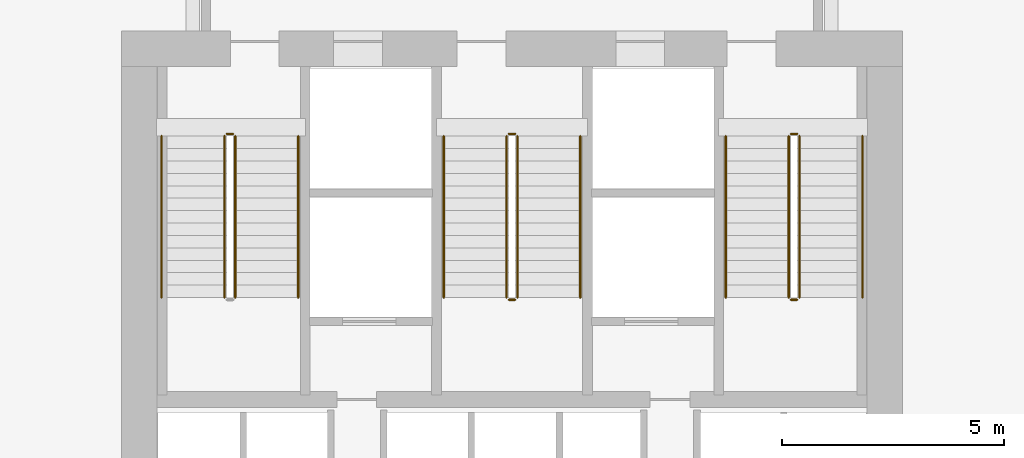
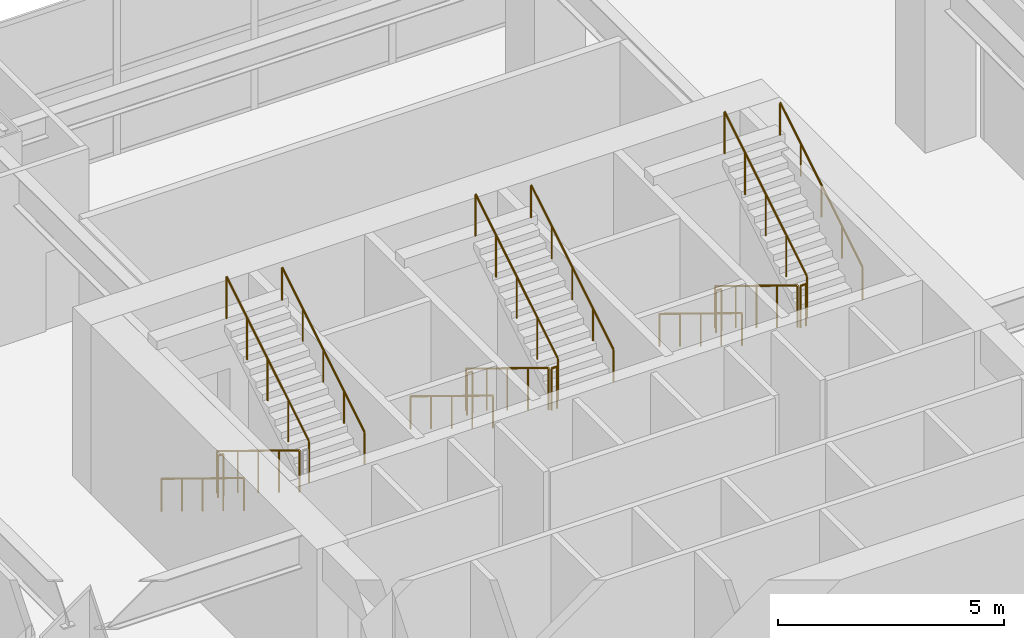
# One storey, part 30 of 31: 17 railings.
"""IFC4 building model written with IfcOpenShell, lengths in metres."""

from ifc_helpers import new_model, si_unit, direction, frame, origin, origin_2d, place, context, subcontext, project, spatial, circle, extrude, material, type_object, element, save


model = new_model("IFC4")

# Units and contexts
model_context = context("Model", 3, precision=1e-05, world=origin(), true_north=direction((0.0, 1.0)))
body_context = subcontext(model_context, "Body", "Model", "MODEL_VIEW")
ifc_project = project(units=[si_unit("LENGTHUNIT", "METRE"), si_unit("AREAUNIT", "SQUARE_METRE"), si_unit("VOLUMEUNIT", "CUBIC_METRE"), si_unit("PLANEANGLEUNIT", "RADIAN"), si_unit("MASSUNIT", "GRAM", prefix="KILO")], contexts=[model_context])

# Site, building, storey
site_placement = place(None, origin())
site = spatial("IfcSite", under=ifc_project, at=site_placement, CompositionType="ELEMENT")
building_placement = place(site_placement, origin())
building = spatial("IfcBuilding", under=site, at=building_placement, Name="Haolan Belvedere Tower", CompositionType="ELEMENT")
storey_placement = place(building_placement, frame((0.0, 0.0, 5.39990234375)))
storey = spatial("IfcBuildingStorey", under=building, at=storey_placement, Name="L01", CompositionType="ELEMENT", Elevation=5.39990234375)

# Railings
ifc_material = material(Name="Brushed stainless steel 304", Category="steel")
railing_type_1 = type_object("IfcRailingType", Name="RL-STAIR-GRD-1150", PredefinedType="GUARDRAIL", material=ifc_material)
railing_1_placement = place(storey_placement, frame((31.919921875, 41.22998046875, 0.171630859375)))
element("IfcRailing", 1, at=railing_1_placement, inside=storey, type_object=railing_type_1, Name="L01 ST1 stair guard 1", PredefinedType="GUARDRAIL", context=body_context, shape_type="SweptSolid", body=[
    extrude(circle(Radius=0.02392578125, at=origin_2d()), frame((0.0, 0.0, 1.1259765625), z_axis=(0.0, -0.852850264322, 0.5221555579), x_axis=(1.0, 0.0, 0.0)), (0.0, 0.0, 1.0), 4.267822265625),
    extrude(circle(Radius=0.02099609375, at=origin_2d()), origin(), (0.0, 0.0, 1.0), 1.101806640625),
    extrude(circle(Radius=0.02099609375, at=origin_2d()), frame((0.0, -0.909912109375, 0.55712890625)), (0.0, 0.0, 1.0), 1.101806640625),
    extrude(circle(Radius=0.02099609375, at=origin_2d()), frame((0.0, -1.81982421875, 1.1142578125)), (0.0, 0.0, 1.0), 1.101806640625),
    extrude(circle(Radius=0.02099609375, at=origin_2d()), frame((0.0, -2.72998046875, 1.67138671875)), (0.0, 0.0, 1.0), 1.101806640625),
    extrude(circle(Radius=0.02099609375, at=origin_2d()), frame((0.0, -3.639892578125, 2.228515625)), (0.0, 0.0, 1.0), 1.101806640625),
])
railing_2_placement = place(storey_placement, frame((32.159912109375, 37.590087890625, 2.571533203125)))
element("IfcRailing", 2, at=railing_2_placement, inside=storey, type_object=railing_type_1, Name="L01 ST1 stair guard 3", PredefinedType="GUARDRAIL", context=body_context, shape_type="SweptSolid", body=[
    extrude(circle(Radius=0.02392578125, at=origin_2d()), frame((0.0, 0.0, 1.1259765625), z_axis=(0.0, 0.852850264322, 0.5221555579), x_axis=(-1.0, 0.0, 0.0)), (0.0, 0.0, 1.0), 4.267822265625),
    extrude(circle(Radius=0.02099609375, at=origin_2d()), origin(), (0.0, 0.0, 1.0), 1.101806640625),
    extrude(circle(Radius=0.02099609375, at=origin_2d()), frame((0.0, 0.909912109375, 0.55712890625)), (0.0, 0.0, 1.0), 1.101806640625),
    extrude(circle(Radius=0.02099609375, at=origin_2d()), frame((0.0, 1.81982421875, 1.1142578125)), (0.0, 0.0, 1.0), 1.101806640625),
    extrude(circle(Radius=0.02099609375, at=origin_2d()), frame((0.0, 2.72998046875, 1.67138671875)), (0.0, 0.0, 1.0), 1.101806640625),
    extrude(circle(Radius=0.02099609375, at=origin_2d()), frame((0.0, 3.639892578125, 2.228515625)), (0.0, 0.0, 1.0), 1.101806640625),
])
railing_3_placement = place(storey_placement, frame((31.969970703125, 41.280029296875, 0.0)))
element("IfcRailing", 3, at=railing_3_placement, inside=storey, type_object=railing_type_1, Name="L01 ST1 stair guard 4", PredefinedType="GUARDRAIL", context=body_context, shape_type="SweptSolid", body=[
    extrude(circle(Radius=0.02392578125, at=origin_2d()), frame((0.0, 0.0, 1.1259765625), z_axis=(1.0, 0.0, 0.0), x_axis=(0.0, 1.0, 0.0)), (0.0, 0.0, 1.0), 0.14013671875),
    extrude(circle(Radius=0.02099609375, at=origin_2d()), origin(), (0.0, 0.0, 1.0), 1.101806640625),
    extrude(circle(Radius=0.02099609375, at=origin_2d()), frame((0.14013671875, 0.0, 0.0)), (0.0, 0.0, 1.0), 1.101806640625),
])
railing_4_placement = place(storey_placement, frame((38.280029296875, 41.22998046875, 0.171630859375)))
element("IfcRailing", 4, at=railing_4_placement, inside=storey, type_object=railing_type_1, Name="L01 ST3 stair guard 1", PredefinedType="GUARDRAIL", context=body_context, shape_type="SweptSolid", body=[
    extrude(circle(Radius=0.02392578125, at=origin_2d()), frame((0.0, 0.0, 1.1259765625), z_axis=(0.0, -0.852850264322, 0.5221555579), x_axis=(1.0, 0.0, 0.0)), (0.0, 0.0, 1.0), 4.267822265625),
    extrude(circle(Radius=0.02099609375, at=origin_2d()), origin(), (0.0, 0.0, 1.0), 1.101806640625),
    extrude(circle(Radius=0.02099609375, at=origin_2d()), frame((0.0, -0.909912109375, 0.55712890625)), (0.0, 0.0, 1.0), 1.101806640625),
    extrude(circle(Radius=0.02099609375, at=origin_2d()), frame((0.0, -1.81982421875, 1.1142578125)), (0.0, 0.0, 1.0), 1.101806640625),
    extrude(circle(Radius=0.02099609375, at=origin_2d()), frame((0.0, -2.72998046875, 1.67138671875)), (0.0, 0.0, 1.0), 1.101806640625),
    extrude(circle(Radius=0.02099609375, at=origin_2d()), frame((0.0, -3.639892578125, 2.228515625)), (0.0, 0.0, 1.0), 1.101806640625),
])
railing_5_placement = place(storey_placement, frame((38.330078125, 37.5400390625, 2.400146484375)))
element("IfcRailing", 5, at=railing_5_placement, inside=storey, type_object=railing_type_1, Name="L01 ST3 stair guard 2", PredefinedType="GUARDRAIL", context=body_context, shape_type="SweptSolid", body=[
    extrude(circle(Radius=0.02392578125, at=origin_2d()), frame((0.0, 0.0, 1.1259765625), z_axis=(1.0, 0.0, 0.0), x_axis=(0.0, 1.0, 0.0)), (0.0, 0.0, 1.0), 0.139892578125),
    extrude(circle(Radius=0.02099609375, at=origin_2d()), origin(), (0.0, 0.0, 1.0), 1.101806640625),
    extrude(circle(Radius=0.02099609375, at=origin_2d()), frame((0.139892578125, 0.0, 0.0)), (0.0, 0.0, 1.0), 1.101806640625),
])
railing_6_placement = place(storey_placement, frame((38.52001953125, 37.590087890625, 2.571533203125)))
element("IfcRailing", 6, at=railing_6_placement, inside=storey, type_object=railing_type_1, Name="L01 ST3 stair guard 3", PredefinedType="GUARDRAIL", context=body_context, shape_type="SweptSolid", body=[
    extrude(circle(Radius=0.02392578125, at=origin_2d()), frame((0.0, 0.0, 1.1259765625), z_axis=(0.0, 0.852850264322, 0.5221555579), x_axis=(-1.0, 0.0, 0.0)), (0.0, 0.0, 1.0), 4.267822265625),
    extrude(circle(Radius=0.02099609375, at=origin_2d()), origin(), (0.0, 0.0, 1.0), 1.101806640625),
    extrude(circle(Radius=0.02099609375, at=origin_2d()), frame((0.0, 0.909912109375, 0.55712890625)), (0.0, 0.0, 1.0), 1.101806640625),
    extrude(circle(Radius=0.02099609375, at=origin_2d()), frame((0.0, 1.81982421875, 1.1142578125)), (0.0, 0.0, 1.0), 1.101806640625),
    extrude(circle(Radius=0.02099609375, at=origin_2d()), frame((0.0, 2.72998046875, 1.67138671875)), (0.0, 0.0, 1.0), 1.101806640625),
    extrude(circle(Radius=0.02099609375, at=origin_2d()), frame((0.0, 3.639892578125, 2.228515625)), (0.0, 0.0, 1.0), 1.101806640625),
])
railing_7_placement = place(storey_placement, frame((38.330078125, 41.280029296875, 0.0)))
element("IfcRailing", 7, at=railing_7_placement, inside=storey, type_object=railing_type_1, Name="L01 ST3 stair guard 4", PredefinedType="GUARDRAIL", context=body_context, shape_type="SweptSolid", body=[
    extrude(circle(Radius=0.02392578125, at=origin_2d()), frame((0.0, 0.0, 1.1259765625), z_axis=(1.0, 0.0, 0.0), x_axis=(0.0, 1.0, 0.0)), (0.0, 0.0, 1.0), 0.139892578125),
    extrude(circle(Radius=0.02099609375, at=origin_2d()), origin(), (0.0, 0.0, 1.0), 1.101806640625),
    extrude(circle(Radius=0.02099609375, at=origin_2d()), frame((0.139892578125, 0.0, 0.0)), (0.0, 0.0, 1.0), 1.101806640625),
])
railing_8_placement = place(storey_placement, frame((44.639892578125, 41.22998046875, 0.171630859375)))
element("IfcRailing", 8, at=railing_8_placement, inside=storey, type_object=railing_type_1, Name="L01 ST2 stair guard 1", PredefinedType="GUARDRAIL", context=body_context, shape_type="SweptSolid", body=[
    extrude(circle(Radius=0.02392578125, at=origin_2d()), frame((0.0, 0.0, 1.1259765625), z_axis=(0.0, -0.852850264322, 0.5221555579), x_axis=(1.0, 0.0, 0.0)), (0.0, 0.0, 1.0), 4.267822265625),
    extrude(circle(Radius=0.02099609375, at=origin_2d()), origin(), (0.0, 0.0, 1.0), 1.101806640625),
    extrude(circle(Radius=0.02099609375, at=origin_2d()), frame((0.0, -0.909912109375, 0.55712890625)), (0.0, 0.0, 1.0), 1.101806640625),
    extrude(circle(Radius=0.02099609375, at=origin_2d()), frame((0.0, -1.81982421875, 1.1142578125)), (0.0, 0.0, 1.0), 1.101806640625),
    extrude(circle(Radius=0.02099609375, at=origin_2d()), frame((0.0, -2.72998046875, 1.67138671875)), (0.0, 0.0, 1.0), 1.101806640625),
    extrude(circle(Radius=0.02099609375, at=origin_2d()), frame((0.0, -3.639892578125, 2.228515625)), (0.0, 0.0, 1.0), 1.101806640625),
])
railing_9_placement = place(storey_placement, frame((44.68994140625, 37.5400390625, 2.400146484375)))
element("IfcRailing", 9, at=railing_9_placement, inside=storey, type_object=railing_type_1, Name="L01 ST2 stair guard 2", PredefinedType="GUARDRAIL", context=body_context, shape_type="SweptSolid", body=[
    extrude(circle(Radius=0.02392578125, at=origin_2d()), frame((0.0, 0.0, 1.1259765625), z_axis=(1.0, 0.0, 0.0), x_axis=(0.0, 1.0, 0.0)), (0.0, 0.0, 1.0), 0.14013671875),
    extrude(circle(Radius=0.02099609375, at=origin_2d()), origin(), (0.0, 0.0, 1.0), 1.101806640625),
    extrude(circle(Radius=0.02099609375, at=origin_2d()), frame((0.14013671875, 0.0, 0.0)), (0.0, 0.0, 1.0), 1.101806640625),
])
railing_10_placement = place(storey_placement, frame((44.8798828125, 37.590087890625, 2.571533203125)))
element("IfcRailing", 10, at=railing_10_placement, inside=storey, type_object=railing_type_1, Name="L01 ST2 stair guard 3", PredefinedType="GUARDRAIL", context=body_context, shape_type="SweptSolid", body=[
    extrude(circle(Radius=0.02392578125, at=origin_2d()), frame((0.0, 0.0, 1.1259765625), z_axis=(0.0, 0.852850264322, 0.5221555579), x_axis=(-1.0, 0.0, 0.0)), (0.0, 0.0, 1.0), 4.267822265625),
    extrude(circle(Radius=0.02099609375, at=origin_2d()), origin(), (0.0, 0.0, 1.0), 1.101806640625),
    extrude(circle(Radius=0.02099609375, at=origin_2d()), frame((0.0, 0.909912109375, 0.55712890625)), (0.0, 0.0, 1.0), 1.101806640625),
    extrude(circle(Radius=0.02099609375, at=origin_2d()), frame((0.0, 1.81982421875, 1.1142578125)), (0.0, 0.0, 1.0), 1.101806640625),
    extrude(circle(Radius=0.02099609375, at=origin_2d()), frame((0.0, 2.72998046875, 1.67138671875)), (0.0, 0.0, 1.0), 1.101806640625),
    extrude(circle(Radius=0.02099609375, at=origin_2d()), frame((0.0, 3.639892578125, 2.228515625)), (0.0, 0.0, 1.0), 1.101806640625),
])
railing_11_placement = place(storey_placement, frame((44.68994140625, 41.280029296875, 0.0)))
element("IfcRailing", 11, at=railing_11_placement, inside=storey, type_object=railing_type_1, Name="L01 ST2 stair guard 4", PredefinedType="GUARDRAIL", context=body_context, shape_type="SweptSolid", body=[
    extrude(circle(Radius=0.02392578125, at=origin_2d()), frame((0.0, 0.0, 1.1259765625), z_axis=(1.0, 0.0, 0.0), x_axis=(0.0, 1.0, 0.0)), (0.0, 0.0, 1.0), 0.14013671875),
    extrude(circle(Radius=0.02099609375, at=origin_2d()), origin(), (0.0, 0.0, 1.0), 1.101806640625),
    extrude(circle(Radius=0.02099609375, at=origin_2d()), frame((0.14013671875, 0.0, 0.0)), (0.0, 0.0, 1.0), 1.101806640625),
])
railing_type_2 = type_object("IfcRailingType", Name="RL-STAIR-HND-900", PredefinedType="HANDRAIL", material=ifc_material)
railing_12_placement = place(storey_placement, frame((30.5, 41.22998046875, 0.171630859375)))
element("IfcRailing", 12, at=railing_12_placement, inside=storey, type_object=railing_type_2, Name="L01 ST1 stair handrail 1", PredefinedType="HANDRAIL", context=body_context, shape_type="SweptSolid", body=[
    extrude(circle(Radius=0.02392578125, at=origin_2d()), frame((0.0, 0.0, 0.8759765625), z_axis=(0.0, -0.852850264322, 0.5221555579), x_axis=(1.0, 0.0, 0.0)), (0.0, 0.0, 1.0), 4.267822265625),
    extrude(circle(Radius=0.02099609375, at=origin_2d()), origin(), (0.0, 0.0, 1.0), 0.851806640625),
    extrude(circle(Radius=0.02099609375, at=origin_2d()), frame((0.0, -0.909912109375, 0.55712890625)), (0.0, 0.0, 1.0), 0.851806640625),
    extrude(circle(Radius=0.02099609375, at=origin_2d()), frame((0.0, -1.81982421875, 1.1142578125)), (0.0, 0.0, 1.0), 0.851806640625),
    extrude(circle(Radius=0.02099609375, at=origin_2d()), frame((0.0, -2.72998046875, 1.67138671875)), (0.0, 0.0, 1.0), 0.851806640625),
    extrude(circle(Radius=0.02099609375, at=origin_2d()), frame((0.0, -3.639892578125, 2.228515625)), (0.0, 0.0, 1.0), 0.851806640625),
])
railing_13_placement = place(storey_placement, frame((33.580078125, 37.590087890625, 2.571533203125)))
element("IfcRailing", 13, at=railing_13_placement, inside=storey, type_object=railing_type_2, Name="L01 ST1 stair handrail 2", PredefinedType="HANDRAIL", context=body_context, shape_type="SweptSolid", body=[
    extrude(circle(Radius=0.02392578125, at=origin_2d()), frame((0.0, 0.0, 0.8759765625), z_axis=(0.0, 0.852850264322, 0.5221555579), x_axis=(-1.0, 0.0, 0.0)), (0.0, 0.0, 1.0), 4.267822265625),
    extrude(circle(Radius=0.02099609375, at=origin_2d()), origin(), (0.0, 0.0, 1.0), 0.851806640625),
    extrude(circle(Radius=0.02099609375, at=origin_2d()), frame((0.0, 0.909912109375, 0.55712890625)), (0.0, 0.0, 1.0), 0.851806640625),
    extrude(circle(Radius=0.02099609375, at=origin_2d()), frame((0.0, 1.81982421875, 1.1142578125)), (0.0, 0.0, 1.0), 0.851806640625),
    extrude(circle(Radius=0.02099609375, at=origin_2d()), frame((0.0, 2.72998046875, 1.67138671875)), (0.0, 0.0, 1.0), 0.851806640625),
    extrude(circle(Radius=0.02099609375, at=origin_2d()), frame((0.0, 3.639892578125, 2.228515625)), (0.0, 0.0, 1.0), 0.851806640625),
])
railing_14_placement = place(storey_placement, frame((36.860107421875, 41.22998046875, 0.171630859375)))
element("IfcRailing", 14, at=railing_14_placement, inside=storey, type_object=railing_type_2, Name="L01 ST3 stair handrail 1", PredefinedType="HANDRAIL", context=body_context, shape_type="SweptSolid", body=[
    extrude(circle(Radius=0.02392578125, at=origin_2d()), frame((0.0, 0.0, 0.8759765625), z_axis=(0.0, -0.852850264322, 0.5221555579), x_axis=(1.0, 0.0, 0.0)), (0.0, 0.0, 1.0), 4.267822265625),
    extrude(circle(Radius=0.02099609375, at=origin_2d()), origin(), (0.0, 0.0, 1.0), 0.851806640625),
    extrude(circle(Radius=0.02099609375, at=origin_2d()), frame((0.0, -0.909912109375, 0.55712890625)), (0.0, 0.0, 1.0), 0.851806640625),
    extrude(circle(Radius=0.02099609375, at=origin_2d()), frame((0.0, -1.81982421875, 1.1142578125)), (0.0, 0.0, 1.0), 0.851806640625),
    extrude(circle(Radius=0.02099609375, at=origin_2d()), frame((0.0, -2.72998046875, 1.67138671875)), (0.0, 0.0, 1.0), 0.851806640625),
    extrude(circle(Radius=0.02099609375, at=origin_2d()), frame((0.0, -3.639892578125, 2.228515625)), (0.0, 0.0, 1.0), 0.851806640625),
])
railing_15_placement = place(storey_placement, frame((39.93994140625, 37.590087890625, 2.571533203125)))
element("IfcRailing", 15, at=railing_15_placement, inside=storey, type_object=railing_type_2, Name="L01 ST3 stair handrail 2", PredefinedType="HANDRAIL", context=body_context, shape_type="SweptSolid", body=[
    extrude(circle(Radius=0.02392578125, at=origin_2d()), frame((0.0, 0.0, 0.8759765625), z_axis=(0.0, 0.852850264322, 0.5221555579), x_axis=(-1.0, 0.0, 0.0)), (0.0, 0.0, 1.0), 4.267822265625),
    extrude(circle(Radius=0.02099609375, at=origin_2d()), origin(), (0.0, 0.0, 1.0), 0.851806640625),
    extrude(circle(Radius=0.02099609375, at=origin_2d()), frame((0.0, 0.909912109375, 0.55712890625)), (0.0, 0.0, 1.0), 0.851806640625),
    extrude(circle(Radius=0.02099609375, at=origin_2d()), frame((0.0, 1.81982421875, 1.1142578125)), (0.0, 0.0, 1.0), 0.851806640625),
    extrude(circle(Radius=0.02099609375, at=origin_2d()), frame((0.0, 2.72998046875, 1.67138671875)), (0.0, 0.0, 1.0), 0.851806640625),
    extrude(circle(Radius=0.02099609375, at=origin_2d()), frame((0.0, 3.639892578125, 2.228515625)), (0.0, 0.0, 1.0), 0.851806640625),
])
railing_16_placement = place(storey_placement, frame((43.219970703125, 41.22998046875, 0.171630859375)))
element("IfcRailing", 16, at=railing_16_placement, inside=storey, type_object=railing_type_2, Name="L01 ST2 stair handrail 1", PredefinedType="HANDRAIL", context=body_context, shape_type="SweptSolid", body=[
    extrude(circle(Radius=0.02392578125, at=origin_2d()), frame((0.0, 0.0, 0.8759765625), z_axis=(0.0, -0.852850264322, 0.5221555579), x_axis=(1.0, 0.0, 0.0)), (0.0, 0.0, 1.0), 4.267822265625),
    extrude(circle(Radius=0.02099609375, at=origin_2d()), origin(), (0.0, 0.0, 1.0), 0.851806640625),
    extrude(circle(Radius=0.02099609375, at=origin_2d()), frame((0.0, -0.909912109375, 0.55712890625)), (0.0, 0.0, 1.0), 0.851806640625),
    extrude(circle(Radius=0.02099609375, at=origin_2d()), frame((0.0, -1.81982421875, 1.1142578125)), (0.0, 0.0, 1.0), 0.851806640625),
    extrude(circle(Radius=0.02099609375, at=origin_2d()), frame((0.0, -2.72998046875, 1.67138671875)), (0.0, 0.0, 1.0), 0.851806640625),
    extrude(circle(Radius=0.02099609375, at=origin_2d()), frame((0.0, -3.639892578125, 2.228515625)), (0.0, 0.0, 1.0), 0.851806640625),
])
railing_17_placement = place(storey_placement, frame((46.300048828125, 37.590087890625, 2.571533203125)))
element("IfcRailing", 17, at=railing_17_placement, inside=storey, type_object=railing_type_2, Name="L01 ST2 stair handrail 2", PredefinedType="HANDRAIL", context=body_context, shape_type="SweptSolid", body=[
    extrude(circle(Radius=0.02392578125, at=origin_2d()), frame((0.0, 0.0, 0.8759765625), z_axis=(0.0, 0.852850264322, 0.5221555579), x_axis=(-1.0, 0.0, 0.0)), (0.0, 0.0, 1.0), 4.267822265625),
    extrude(circle(Radius=0.02099609375, at=origin_2d()), origin(), (0.0, 0.0, 1.0), 0.851806640625),
    extrude(circle(Radius=0.02099609375, at=origin_2d()), frame((0.0, 0.909912109375, 0.55712890625)), (0.0, 0.0, 1.0), 0.851806640625),
    extrude(circle(Radius=0.02099609375, at=origin_2d()), frame((0.0, 1.81982421875, 1.1142578125)), (0.0, 0.0, 1.0), 0.851806640625),
    extrude(circle(Radius=0.02099609375, at=origin_2d()), frame((0.0, 2.72998046875, 1.67138671875)), (0.0, 0.0, 1.0), 0.851806640625),
    extrude(circle(Radius=0.02099609375, at=origin_2d()), frame((0.0, 3.639892578125, 2.228515625)), (0.0, 0.0, 1.0), 0.851806640625),
])

save(model, "model.ifc")
